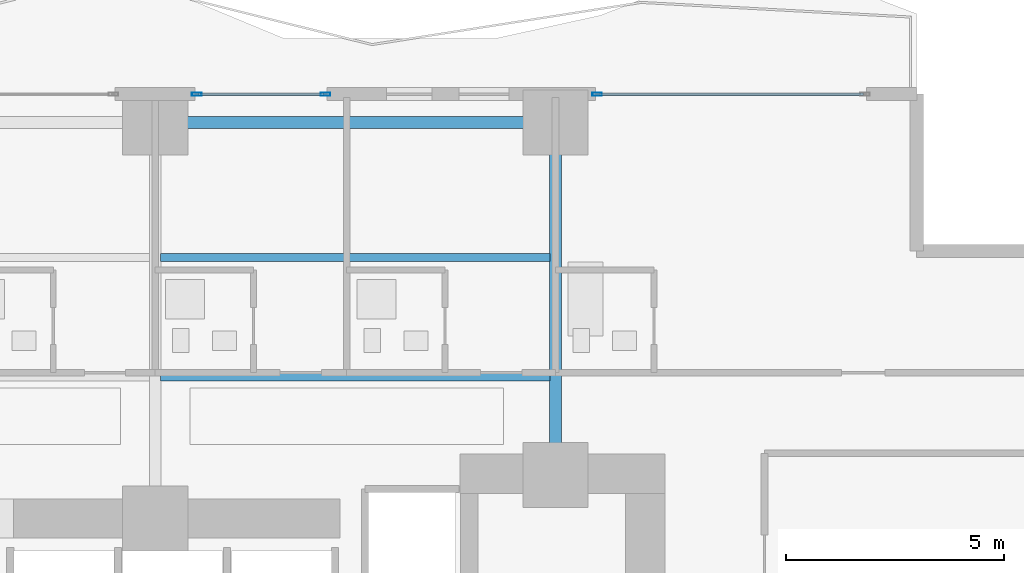
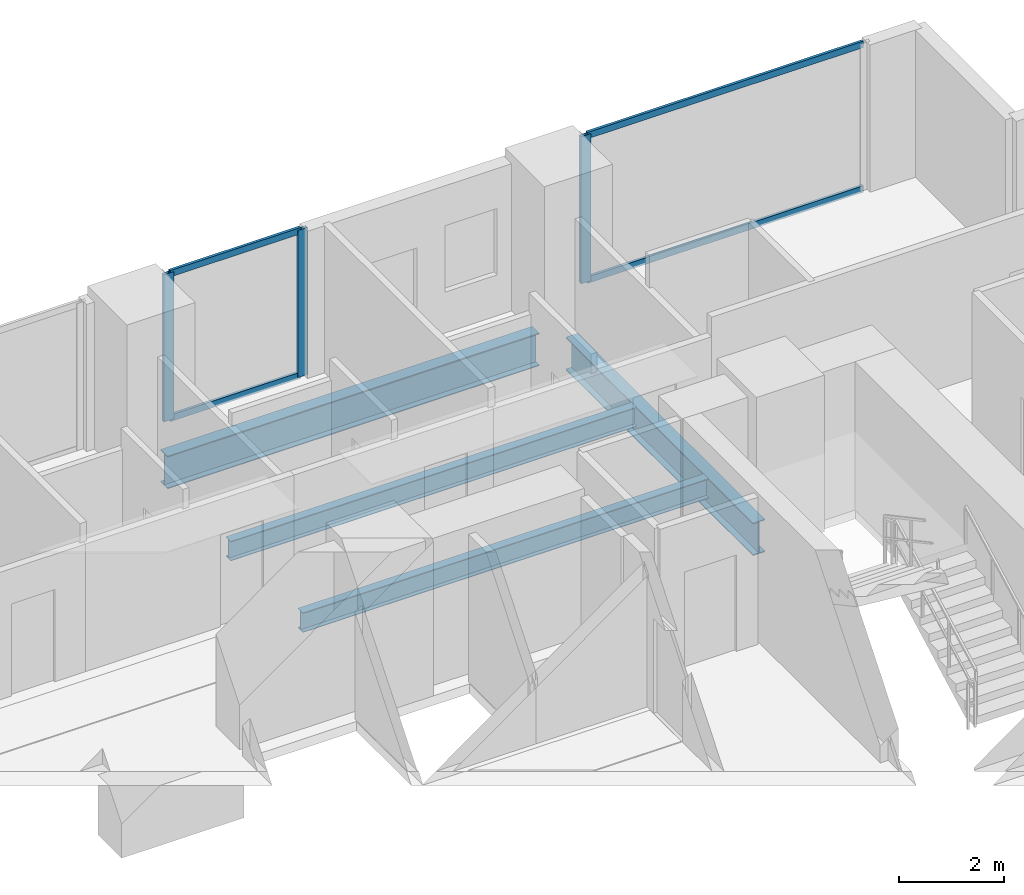
# One storey, part 16 of 29: 7 members, 4 beams, 2 elements without a shape of their own.
"""IFC4 building model written with IfcOpenShell, lengths in metres."""

from ifc_helpers import new_model, si_unit, direction, frame, origin, origin_2d, place, context, subcontext, project, spatial, hollow_rectangle, i_section, extrude, material, layer, layer_set, material_profile, profile_set, type_object, element, aggregate, save


model = new_model("IFC4")

# Units and contexts
model_context = context("Model", 3, precision=1e-05, world=origin(), true_north=direction((0.0, 1.0)))
body_context = subcontext(model_context, "Body", "Model", "MODEL_VIEW")
ifc_project = project(units=[si_unit("LENGTHUNIT", "METRE"), si_unit("AREAUNIT", "SQUARE_METRE"), si_unit("VOLUMEUNIT", "CUBIC_METRE"), si_unit("PLANEANGLEUNIT", "RADIAN"), si_unit("MASSUNIT", "GRAM", prefix="KILO")], contexts=[model_context])

# Site, building, storey
site_placement = place(None, origin())
site = spatial("IfcSite", under=ifc_project, at=site_placement, CompositionType="ELEMENT")
building_placement = place(site_placement, origin())
building = spatial("IfcBuilding", under=site, at=building_placement, Name="Zuhayl Quay Hotel", CompositionType="ELEMENT")
storey_placement = place(building_placement, frame((0.0, 0.0, 64.10009765625)))
storey = spatial("IfcBuildingStorey", under=building, at=storey_placement, Name="L15", CompositionType="ELEMENT", Elevation=64.10009765625)

# Beams
ifc_material_1 = material(Name="Steel ASTM A992 Grade 50", Category="steel")
ifc_material_profile_1 = material_profile(ifc_material_1, i_section(OverallWidth=0.26708984375, OverallDepth=0.761962890625, WebThickness=0.014404296875, FlangeThickness=0.021484375, at=origin_2d()), Name="W30X116")
ifc_profile_set_1 = profile_set([ifc_material_profile_1], Name="Steel ASTM A992 Grade 50")
beam_type_1 = type_object("IfcBeamType", Name="BM_B1_W30X116", PredefinedType="BEAM", material=ifc_profile_set_1)
beam_1_placement = place(storey_placement, frame((13.300048828125, 22.449951171875, -0.60107421875), z_axis=(-1.0, 0.0, 0.0), x_axis=(0.0, -1.0, 0.0)))
element("IfcBeam", 1, at=beam_1_placement, inside=storey, type_object=beam_type_1, Name="L15 Floor Beam RG_L15_07", PredefinedType="BEAM", context=body_context, shape_type="SweptSolid", body=[
    extrude(i_section(OverallWidth=0.26708984375, OverallDepth=0.761962890625, WebThickness=0.014404296875, FlangeThickness=0.021484375, at=origin_2d()), origin(), (0.0, 0.0, 1.0), 8.199951171875),
])
beam_2_placement = place(storey_placement, frame((13.800048828125, 14.800048828125, -0.60107421875), z_axis=(0.0, 1.0, 0.0), x_axis=(-1.0, 0.0, 0.0)))
element("IfcBeam", 2, at=beam_2_placement, inside=storey, type_object=beam_type_1, Name="L15 Floor Beam FG_N_L15_4", PredefinedType="BEAM", context=body_context, shape_type="SweptSolid", body=[
    extrude(i_section(OverallWidth=0.26708984375, OverallDepth=0.761962890625, WebThickness=0.014404296875, FlangeThickness=0.021484375, at=origin_2d()), origin(), (0.0, 0.0, 1.0), 7.14990234375),
])
ifc_material_profile_2 = material_profile(ifc_material_1, i_section(OverallWidth=0.18994140625, OverallDepth=0.45703125, WebThickness=0.009033203125, FlangeThickness=0.014404296875, at=origin_2d()), Name="W18X50")
ifc_profile_set_2 = profile_set([ifc_material_profile_2], Name="Steel ASTM A992 Grade 50")
beam_type_2 = type_object("IfcBeamType", Name="BM_J2_W18X50", PredefinedType="JOIST", material=ifc_profile_set_2)
for number, where, z_axis, x_axis, name in (
    (3, (4.7255859375, 16.60009765625, -0.448486328125), (1.0, 0.0, 0.0), (0.0, 1.0, 0.0), "L15 Floor Beam FJ_L15_1_3"),
    (4, (4.7255859375, 19.35009765625, -0.448486328125), (1.0, 0.0, 0.0), (0.0, 1.0, 0.0), "L15 Floor Beam FJ_L15_2_3"),
):
    element("IfcBeam", number, at=place(storey_placement, frame(where, z_axis=z_axis, x_axis=x_axis)), inside=storey, type_object=beam_type_2, Name=name, PredefinedType="JOIST", context=body_context, shape_type="SweptSolid", body=[
        extrude(i_section(OverallWidth=0.18994140625, OverallDepth=0.45703125, WebThickness=0.009033203125, FlangeThickness=0.014404296875, at=origin_2d()), origin(), (0.0, 0.0, 1.0), 8.948974609375),
    ])

# Curtain wall, members
ifc_material_2 = material(Name="Anodised Aluminium 6063-T6", Category="aluminium")
ifc_layer = layer(ifc_material_2, 0.18994140625, Name="Anodised Aluminium 6063-T6", Category="aluminium")
ifc_layer_set = layer_set([ifc_layer], Name="Anodised Aluminium 6063-T6")
curtain_wall_type = type_object("IfcCurtainWallType", Name="CW_SYS_Z1", PredefinedType="USERDEFINED", material=ifc_layer_set)
curtain_wall_1_placement = place(storey_placement, origin())
curtain_wall_1 = element("IfcCurtainWall", 5, at=curtain_wall_1_placement, inside=storey, type_object=curtain_wall_type, Name="L15 Curtain Wall ENV_L15_N_CW5", ObjectType="UNITISED CURTAIN WALL", PredefinedType="USERDEFINED")
ifc_material_3 = material(Name="Black-anodised aluminium 6063-T6", Category="aluminium")
ifc_material_profile_3 = material_profile(ifc_material_3, hollow_rectangle(XDim=0.074951171875, YDim=0.219970703125, WallThickness=0.00390625, at=origin_2d()), Name="ALU220X75")
ifc_profile_set_3 = profile_set([ifc_material_profile_3], Name="Black-anodised aluminium 6063-T6")
member_type_1 = type_object("IfcMemberType", Name="MB_CW_MUL_220", PredefinedType="MULLION", material=ifc_profile_set_3)
member_1_placement = place(storey_placement, frame((5.5576171875, 23.10009765625, 0.0), z_axis=(0.0, 0.0, 1.0), x_axis=(0.0, 1.0, 0.0)))
member_1 = element("IfcMember", 6, at=member_1_placement, type_object=member_type_1, Name="CW-Z1 mullion 1", PredefinedType="MULLION", context=body_context, shape_type="SweptSolid", body=[
    extrude(hollow_rectangle(XDim=0.074951171875, YDim=0.219970703125, WallThickness=0.00390625, at=origin_2d()), origin(), (0.0, 0.0, 1.0), 3.429931640625),
])
member_2_placement = place(storey_placement, frame((8.512451171875, 23.10009765625, 0.0), z_axis=(0.0, 0.0, 1.0), x_axis=(0.0, 1.0, 0.0)))
member_2 = element("IfcMember", 7, at=member_2_placement, type_object=member_type_1, Name="CW-Z1 mullion 2", PredefinedType="MULLION", context=body_context, shape_type="SweptSolid", body=[
    extrude(hollow_rectangle(XDim=0.074951171875, YDim=0.219970703125, WallThickness=0.00390625, at=origin_2d()), origin(), (0.0, 0.0, 1.0), 3.429931640625),
])

# Curtain wall, member
curtain_wall_2_placement = place(storey_placement, origin())
curtain_wall_2 = element("IfcCurtainWall", 8, at=curtain_wall_2_placement, inside=storey, type_object=curtain_wall_type, Name="L15 Curtain Wall ENV_L15_N_CW6", ObjectType="UNITISED CURTAIN WALL", PredefinedType="USERDEFINED")
member_3_placement = place(storey_placement, frame((14.757568359375, 23.10009765625, 0.0), z_axis=(0.0, 0.0, 1.0), x_axis=(0.0, 1.0, 0.0)))
member_3 = element("IfcMember", 9, at=member_3_placement, type_object=member_type_1, Name="CW-Z1 mullion 1", PredefinedType="MULLION", context=body_context, shape_type="SweptSolid", body=[
    extrude(hollow_rectangle(XDim=0.074951171875, YDim=0.219970703125, WallThickness=0.00390625, at=origin_2d()), origin(), (0.0, 0.0, 1.0), 3.429931640625),
])

# Member
ifc_material_profile_4 = material_profile(ifc_material_3, hollow_rectangle(XDim=0.06005859375, YDim=0.14990234375, WallThickness=0.00341796875, at=origin_2d()), Name="ALU150X60")
ifc_profile_set_4 = profile_set([ifc_material_profile_4], Name="Black-anodised aluminium 6063-T6")
member_type_2 = type_object("IfcMemberType", Name="MB_CW_TRN_150", PredefinedType="USERDEFINED", material=ifc_profile_set_4)
member_4_placement = place(storey_placement, frame((5.594970703125, 23.10009765625, 0.02978515625), z_axis=(1.0, 0.0, 0.0), x_axis=(0.0, 1.0, 0.0)))
member_4 = element("IfcMember", 10, at=member_4_placement, type_object=member_type_2, Name="CW-Z1 transom 1.1", ObjectType="TRANSOM", PredefinedType="USERDEFINED", context=body_context, shape_type="SweptSolid", body=[
    extrude(hollow_rectangle(XDim=0.06005859375, YDim=0.14990234375, WallThickness=0.00341796875, at=origin_2d()), origin(), (0.0, 0.0, 1.0), 2.880126953125),
])

member_5_placement = place(storey_placement, frame((5.594970703125, 23.10009765625, 3.39990234375), z_axis=(1.0, 0.0, 0.0), x_axis=(0.0, 1.0, 0.0)))
member_5 = element("IfcMember", 11, at=member_5_placement, type_object=member_type_2, Name="CW-Z1 transom 1.2", ObjectType="TRANSOM", PredefinedType="USERDEFINED", context=body_context, shape_type="SweptSolid", body=[
    extrude(hollow_rectangle(XDim=0.06005859375, YDim=0.14990234375, WallThickness=0.00341796875, at=origin_2d()), origin(), (0.0, 0.0, 1.0), 2.880126953125),
])

aggregate(curtain_wall_1, [member_1, member_2, member_4, member_5])

member_6_placement = place(storey_placement, frame((14.794921875, 23.10009765625, 0.02978515625), z_axis=(1.0, 0.0, 0.0), x_axis=(0.0, 1.0, 0.0)))
member_6 = element("IfcMember", 12, at=member_6_placement, type_object=member_type_2, Name="CW-Z1 transom 1.1", ObjectType="TRANSOM", PredefinedType="USERDEFINED", context=body_context, shape_type="SweptSolid", body=[
    extrude(hollow_rectangle(XDim=0.06005859375, YDim=0.14990234375, WallThickness=0.00341796875, at=origin_2d()), origin(), (0.0, 0.0, 1.0), 6.080078125),
])

member_7_placement = place(storey_placement, frame((14.794921875, 23.10009765625, 3.39990234375), z_axis=(1.0, 0.0, 0.0), x_axis=(0.0, 1.0, 0.0)))
member_7 = element("IfcMember", 13, at=member_7_placement, type_object=member_type_2, Name="CW-Z1 transom 1.2", ObjectType="TRANSOM", PredefinedType="USERDEFINED", context=body_context, shape_type="SweptSolid", body=[
    extrude(hollow_rectangle(XDim=0.06005859375, YDim=0.14990234375, WallThickness=0.00341796875, at=origin_2d()), origin(), (0.0, 0.0, 1.0), 6.080078125),
])

aggregate(curtain_wall_2, [member_3, member_6, member_7])

save(model, "model.ifc")
